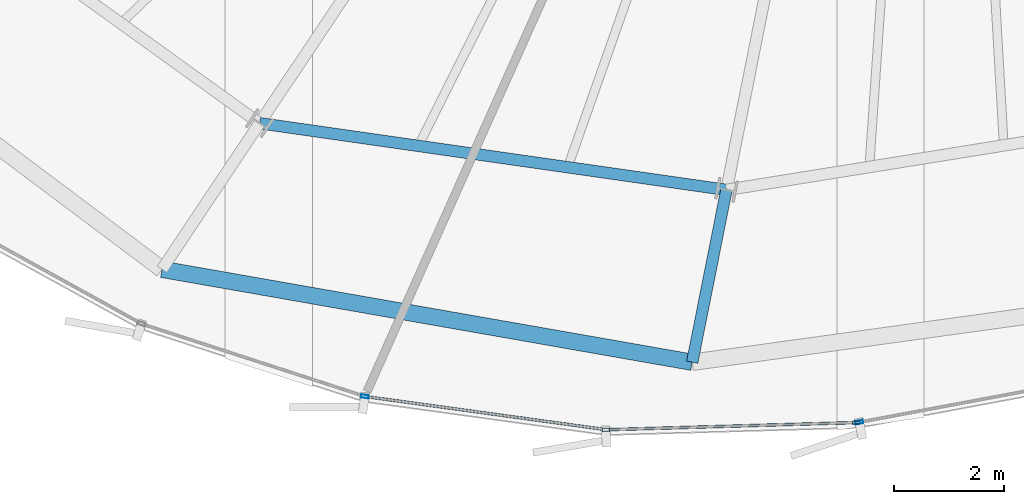
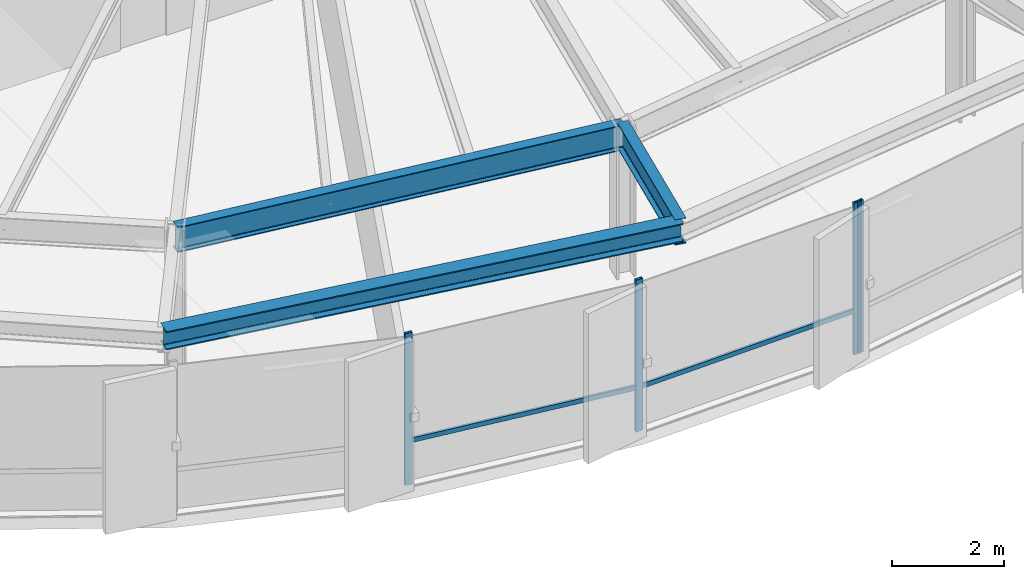
# One storey, part 5 of 32: 6 members, 3 beams, 2 elements without a shape of their own.
"""IFC4 building model written with IfcOpenShell, lengths in metres."""

from ifc_helpers import new_model, si_unit, direction, frame, origin, origin_2d, place, context, subcontext, project, spatial, hollow_rectangle, i_section, extrude, source, transform, mapped, material, layer, layer_set, material_profile, profile_set, type_object, element, aggregate, save


model = new_model("IFC4")

# Units and contexts
model_context = context("Model", 3, precision=1e-05, world=origin(), true_north=direction((0.0, 1.0)))
body_context = subcontext(model_context, "Body", "Model", "MODEL_VIEW")
ifc_project = project(units=[si_unit("LENGTHUNIT", "METRE"), si_unit("AREAUNIT", "SQUARE_METRE"), si_unit("VOLUMEUNIT", "CUBIC_METRE"), si_unit("PLANEANGLEUNIT", "RADIAN"), si_unit("MASSUNIT", "GRAM", prefix="KILO"), si_unit("THERMODYNAMICTEMPERATUREUNIT", "KELVIN")], contexts=[model_context])

# Site, building, storey
site_placement = place(None, origin())
site = spatial("IfcSite", under=ifc_project, at=site_placement, CompositionType="ELEMENT")
building_placement = place(site_placement, origin())
building = spatial("IfcBuilding", under=site, at=building_placement, Name="Kethvar Cultural Tower", CompositionType="ELEMENT")
storey_placement = place(building_placement, frame((0.0, 0.0, 160.75)))
storey = spatial("IfcBuildingStorey", under=building, at=storey_placement, Name="L41", CompositionType="ELEMENT", Elevation=160.75)

# Beams
ifc_material_1 = material(Name="Steel S355J2", Category="steel")
ifc_material_profile_1 = material_profile(ifc_material_1, i_section(OverallWidth=0.2099609375, OverallDepth=0.550048828125, WebThickness=0.010986328125, FlangeThickness=0.01708984375, FilletRadius=0.02392578125, at=origin_2d()), Name="Steel S355J2 — IPE550")
ifc_profile_set_1 = profile_set([ifc_material_profile_1], Name="Steel S355J2 — IPE550")
beam_type_1 = type_object("IfcBeamType", Name="BM-IPE550", PredefinedType="BEAM", material=ifc_profile_set_1)
shared_shape_1 = source(origin(), body_context, "Body", "SweptSolid", [
    extrude(i_section(OverallWidth=0.2099609375, OverallDepth=0.550048828125, WebThickness=0.010986328125, FlangeThickness=0.01708984375, FilletRadius=0.02392578125, at=origin_2d()), origin(), (0.0, 0.0, 1.0), 3.2001953125),
])
beam_1_placement = place(storey_placement, frame((42.852294921875, 7.95361328125, 3.02294921875), z_axis=(-0.195074368086, -0.980788453702, 0.0), x_axis=(0.980788453702, -0.195074368086, 0.0)))
element("IfcBeam", 1, at=beam_1_placement, inside=storey, type_object=beam_type_1, Name="L41 Perimeter Cantilever Beam RC-12", PredefinedType="BEAM", context=body_context, shape_type="MappedRepresentation", body=[
    mapped(shared_shape_1, transform((0.0, 0.0, 0.0), scale=1.0)),
])
shared_shape_2 = source(origin(), body_context, "Body", "SweptSolid", [
    extrude(i_section(OverallWidth=0.2099609375, OverallDepth=0.550048828125, WebThickness=0.010986328125, FlangeThickness=0.01708984375, FilletRadius=0.02392578125, at=origin_2d()), origin(), (0.0, 0.0, 1.0), 8.587890625),
])
beam_2_placement = place(storey_placement, frame((34.350830078125, 9.16845703125, 3.02294921875), z_axis=(0.989943807123, -0.141461156288, 0.0), x_axis=(0.141461156288, 0.989943807123, 0.0)))
element("IfcBeam", 2, at=beam_2_placement, inside=storey, type_object=beam_type_1, Name="L41 Column Ring Tie Beam CR-11", PredefinedType="BEAM", context=body_context, shape_type="MappedRepresentation", body=[
    mapped(shared_shape_2, transform((0.0, 0.0, 0.0), scale=1.0)),
])
ifc_material_profile_2 = material_profile(ifc_material_1, i_section(OverallWidth=0.300048828125, OverallDepth=0.39990234375, WebThickness=0.013427734375, FlangeThickness=0.02392578125, FilletRadius=0.027099609375, at=origin_2d()), Name="Steel S355J2 — HEB400")
ifc_profile_set_2 = profile_set([ifc_material_profile_2], Name="Steel S355J2 — HEB400")
beam_type_2 = type_object("IfcBeamType", Name="BM-SP400", PredefinedType="SPANDREL", material=ifc_profile_set_2)
shared_shape_3 = source(origin(), body_context, "Body", "SweptSolid", [
    extrude(i_section(OverallWidth=0.300048828125, OverallDepth=0.39990234375, WebThickness=0.013427734375, FlangeThickness=0.02392578125, FilletRadius=0.027099609375, at=origin_2d()), origin(), (0.0, 0.0, 1.0), 9.80224609375),
])
beam_3_placement = place(storey_placement, frame((32.572998046875, 6.5078125, 3.097900390625), z_axis=(0.984974273513, -0.172701130618, 0.0), x_axis=(0.172701130618, 0.984974273513, 0.0)))
element("IfcBeam", 3, at=beam_3_placement, inside=storey, type_object=beam_type_2, Name="L41 Perimeter Spandrel Beam SP-11", PredefinedType="SPANDREL", context=body_context, shape_type="MappedRepresentation", body=[
    mapped(shared_shape_3, transform((0.0, 0.0, 0.0), scale=1.0)),
])

# Curtain wall, members
ifc_material_2 = material(Name="Aluminium 6063-T6", Category="aluminium")
ifc_layer = layer(ifc_material_2, 0.179931640625, Name="Aluminium 6063-T6", Category="aluminium")
ifc_layer_set = layer_set([ifc_layer], Name="Aluminium 6063-T6 (180 mm)")
curtain_wall_type = type_object("IfcCurtainWallType", Name="CW-SYS-04-Z34", PredefinedType="NOTDEFINED", material=ifc_layer_set)
curtain_wall_1_placement = place(storey_placement, origin())
curtain_wall_1 = element("IfcCurtainWall", 4, at=curtain_wall_1_placement, inside=storey, type_object=curtain_wall_type, Name="L41 Curtain Wall Run 04", PredefinedType="NOTDEFINED")
ifc_material_profile_3 = material_profile(ifc_material_2, hollow_rectangle(XDim=0.06005859375, YDim=0.139892578125, WallThickness=0.0048828125, at=origin_2d()), Name="Aluminium 6063-T6 — RHS140x60x5")
ifc_profile_set_3 = profile_set([ifc_material_profile_3], Name="Aluminium 6063-T6 — RHS140x60x5")
member_type_1 = type_object("IfcMemberType", Name="CW-SYS-04-Z34-MUL", PredefinedType="MULLION", material=ifc_profile_set_3)
shared_shape_4 = source(origin(), body_context, "Body", "SweptSolid", [
    extrude(hollow_rectangle(XDim=0.06005859375, YDim=0.139892578125, WallThickness=0.0048828125, at=origin_2d()), origin(), (0.0, 0.0, 1.0), 3.300048828125),
])
member_1_placement = place(storey_placement, frame((36.26708984375, 4.1923828125, 0.0), z_axis=(0.0, 0.0, 1.0), x_axis=(0.136459082055, 0.990645708074, 0.0)))
member_1 = element("IfcMember", 5, at=member_1_placement, type_object=member_type_1, Name="CW-L41-R04 Mullion 5", PredefinedType="MULLION", context=body_context, shape_type="MappedRepresentation", body=[
    mapped(shared_shape_4, transform((0.0, 0.0, 0.0), scale=1.0)),
])
member_2_placement = place(storey_placement, frame((40.65673828125, 3.586181640625, 0.0), z_axis=(0.0, 0.0, 1.0), x_axis=(-0.028671829763, 0.999588878579, 0.0)))
member_2 = element("IfcMember", 6, at=member_2_placement, type_object=member_type_1, Name="CW-L41-R04 Mullion 6", PredefinedType="MULLION", context=body_context, shape_type="MappedRepresentation", body=[
    mapped(shared_shape_4, transform((0.0, 0.0, 0.0), scale=1.0)),
])
member_3_placement = place(storey_placement, frame((45.2119140625, 3.716796875, 0.0), z_axis=(0.0, 0.0, 1.0), x_axis=(-0.028671829763, 0.999588878579, 0.0)))
member_3 = element("IfcMember", 7, at=member_3_placement, type_object=member_type_1, Name="CW-L41-R04 Mullion 7", PredefinedType="MULLION", context=body_context, shape_type="MappedRepresentation", body=[
    mapped(shared_shape_4, transform((0.0, 0.0, 0.0), scale=1.0)),
])

# Curtain wall, member
curtain_wall_2_placement = place(storey_placement, origin())
curtain_wall_2 = element("IfcCurtainWall", 8, at=curtain_wall_2_placement, inside=storey, type_object=curtain_wall_type, Name="L41 Curtain Wall Run 05", PredefinedType="NOTDEFINED")
member_4_placement = place(storey_placement, frame((45.272216796875, 3.723388671875, 0.0), z_axis=(0.0, 0.0, 1.0), x_axis=(-0.183608230249, 0.982999500399, 0.0)))
member_4 = element("IfcMember", 9, at=member_4_placement, type_object=member_type_1, Name="CW-L41-R05 Mullion 1", PredefinedType="MULLION", context=body_context, shape_type="MappedRepresentation", body=[
    mapped(shared_shape_4, transform((0.0, 0.0, 0.0), scale=1.0)),
])
aggregate(curtain_wall_2, [member_4])

# Member
ifc_material_profile_4 = material_profile(ifc_material_2, hollow_rectangle(XDim=0.050048828125, YDim=0.10009765625, WallThickness=0.00390625, at=origin_2d()), Name="Aluminium 6063-T6 — RHS100x50x4")
ifc_profile_set_4 = profile_set([ifc_material_profile_4], Name="Aluminium 6063-T6 — RHS100x50x4")
member_type_2 = type_object("IfcMemberType", Name="CW-SYS-04-Z34-TRN", PredefinedType="USERDEFINED", material=ifc_profile_set_4)
shared_shape_5 = source(origin(), body_context, "Body", "SweptSolid", [
    extrude(hollow_rectangle(XDim=0.050048828125, YDim=0.10009765625, WallThickness=0.00390625, at=origin_2d()), origin(), (0.0, 0.0, 1.0), 4.363037109375),
])
member_5_placement = place(storey_placement, frame((36.309814453125, 4.1865234375, 0.949951171875), z_axis=(0.990650879455, -0.136421534349, 0.0), x_axis=(0.136421534349, 0.990650879455, 0.0)))
member_5 = element("IfcMember", 10, at=member_5_placement, type_object=member_type_2, Name="CW-L41-R04 Transom 5", ObjectType="TRANSOM", PredefinedType="USERDEFINED", context=body_context, shape_type="MappedRepresentation", body=[
    mapped(shared_shape_5, transform((0.0, 0.0, 0.0), scale=1.0)),
])

shared_shape_6 = source(origin(), body_context, "Body", "SweptSolid", [
    extrude(hollow_rectangle(XDim=0.050048828125, YDim=0.10009765625, WallThickness=0.00390625, at=origin_2d()), origin(), (0.0, 0.0, 1.0), 4.509765625),
])
member_6_placement = place(storey_placement, frame((40.699951171875, 3.58740234375, 0.949951171875), z_axis=(0.999588280075, 0.028692687849, 0.0), x_axis=(-0.028692687849, 0.999588280075, 0.0)))
member_6 = element("IfcMember", 11, at=member_6_placement, type_object=member_type_2, Name="CW-L41-R04 Transom 6", ObjectType="TRANSOM", PredefinedType="USERDEFINED", context=body_context, shape_type="MappedRepresentation", body=[
    mapped(shared_shape_6, transform((0.0, 0.0, 0.0), scale=1.0)),
])

aggregate(curtain_wall_1, [member_1, member_2, member_3, member_5, member_6])

save(model, "model.ifc")
